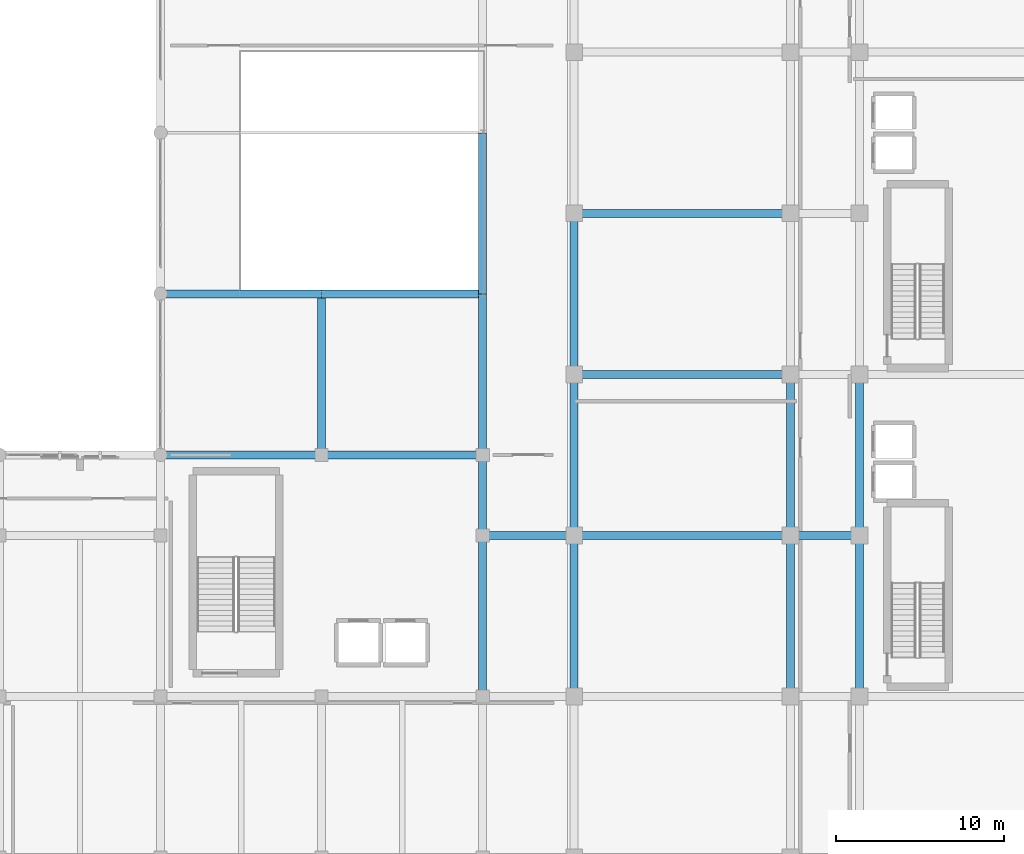
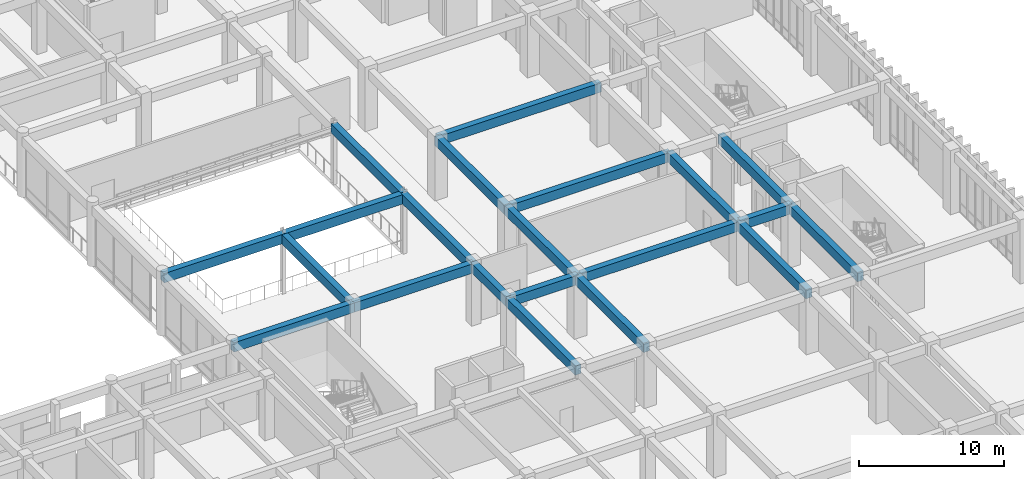
# One storey, part 64 of 134: 21 beams.
"""IFC4 building model written with IfcOpenShell, lengths in metres."""

import ifcopenshell
import ifcopenshell.guid

model = None  # the IFC model being written
_history = None  # IfcOwnerHistory: only IFC2X3 demands one
_inside = {}  # id of a spatial element -> (the spatial element, [elements in it])
_under = {}  # id of a project, library or spatial element -> (it, [spatial elements below it])
_declared = {}  # id of a project -> (the project, [libraries it declares])
_typed = {}  # id of a type object -> (the type object, [elements of that type])
_made_of = {}  # id of a material, layer set ... -> (it, [elements and type objects made of it])


def new_model(schema):
    """Start an empty IFC model of exactly this schema.

    Asked for "IFC4X3", IfcOpenShell would pick the latest addendum, in which some entities
    have other attributes; the version numbers below select the first issue.
    IFC2X3 requires an IfcOwnerHistory on every rooted entity: one is made here for all.
    """
    global model, _history
    if schema == "IFC4X3":
        model = ifcopenshell.file(schema_version=(4, 3, 0, 0))
    else:
        model = ifcopenshell.file(schema=schema)
    _inside.clear()
    _under.clear()
    _declared.clear()
    _typed.clear()
    _made_of.clear()
    _history = None
    if model.schema == "IFC2X3":
        org = make("IfcOrganization", Name="unknown")
        user = make(
            "IfcPersonAndOrganization",
            ThePerson=make("IfcPerson", FamilyName="unknown"),
            TheOrganization=org,
        )
        app = make(
            "IfcApplication",
            ApplicationDeveloper=org,
            Version="unknown",
            ApplicationFullName="unknown",
            ApplicationIdentifier="unknown",
        )
        _history = make(
            "IfcOwnerHistory",
            OwningUser=user,
            OwningApplication=app,
            ChangeAction="ADDED",
            CreationDate=0,
        )
    return model


def make(cls, **values):
    """One entity of the class cls with the attributes given. An attribute that is None is left unset."""
    return model.create_entity(
        cls, **{name: value for name, value in values.items() if value is not None}
    )


def rooted(cls, **values):
    """An entity with a GlobalId (a new one), such as an element, a storey or a relation."""
    return make(cls, GlobalId=ifcopenshell.guid.new(), OwnerHistory=_history, **values)


def si_unit(unit_type, name, prefix=None):
    """IfcSIUnit, for example si_unit("LENGTHUNIT", "METRE", prefix="MILLI")."""
    return make("IfcSIUnit", UnitType=unit_type, Prefix=prefix, Name=name)


def assignment(units):
    """IfcUnitAssignment: the units of a project."""
    return None if units is None else make("IfcUnitAssignment", Units=units)


def point(xyz):
    """IfcCartesianPoint."""
    return None if xyz is None else make("IfcCartesianPoint", Coordinates=xyz)


def direction(xyz):
    """IfcDirection."""
    return None if xyz is None else make("IfcDirection", DirectionRatios=xyz)


def frame(location, z_axis=None, x_axis=None):
    """IfcAxis2Placement3D, a coordinate frame: its origin and axes. An axis left out is left unset."""
    return make(
        "IfcAxis2Placement3D",
        Location=point(location),
        Axis=direction(z_axis),
        RefDirection=direction(x_axis),
    )


def frame_2d(location, x_axis=None):
    """IfcAxis2Placement2D, a coordinate frame in the plane: its origin and x axis."""
    return make(
        "IfcAxis2Placement2D", Location=point(location), RefDirection=direction(x_axis)
    )


def origin():
    """The frame at (0, 0, 0) with its axes left unset."""
    return frame((0.0, 0.0, 0.0))


def origin_2d():
    """The frame at (0, 0) in the plane with its x axis left unset."""
    return frame_2d((0.0, 0.0))


def place(relative_to, where):
    """IfcLocalPlacement: puts the frame where relative to a parent placement (None: the world)."""
    return make(
        "IfcLocalPlacement", PlacementRelTo=relative_to, RelativePlacement=where
    )


def context(
    kind, dimensions, precision=None, world=None, true_north=None, identifier=None
):
    """IfcGeometricRepresentationContext, for example the 3D "Model" context."""
    return make(
        "IfcGeometricRepresentationContext",
        ContextIdentifier=identifier,
        ContextType=kind,
        CoordinateSpaceDimension=dimensions,
        Precision=precision,
        WorldCoordinateSystem=world,
        TrueNorth=true_north,
    )


def subcontext(parent, identifier, kind, view, scale=None):
    """IfcGeometricRepresentationSubContext, for example "Body" below "Model"."""
    return make(
        "IfcGeometricRepresentationSubContext",
        ContextIdentifier=identifier,
        ContextType=kind,
        ParentContext=parent,
        TargetScale=scale,
        TargetView=view,
    )


def project(units=None, contexts=None):
    """IfcProject with its units and contexts."""
    return rooted(
        "IfcProject",
        Name="project",
        RepresentationContexts=contexts,
        UnitsInContext=assignment(units),
    )


def spatial(cls, under=None, at=None, **own):
    """A site, building, storey or space (cls), placed at a placement, below another one or the project."""
    s = rooted(cls, ObjectPlacement=at, **own)
    if under is not None:
        _under.setdefault(under.id(), (under, []))[1].append(s)
    return s


def profile(cls, at=None, kind="AREA", **sizes):
    """A parametric profile (cls). Its sizes go by their IFC names, for example OverallWidth=200.0."""
    return make(cls, ProfileType=kind, Position=at, **sizes)


def rectangle(**sizes):
    """IfcRectangleProfileDef."""
    return profile("IfcRectangleProfileDef", **sizes)


def extrude(swept, where, along, depth):
    """IfcExtrudedAreaSolid: the profile swept, set in the frame where, extruded along a direction by depth."""
    return make(
        "IfcExtrudedAreaSolid",
        SweptArea=swept,
        Position=where,
        ExtrudedDirection=direction(along),
        Depth=depth,
    )


def shape(context_of_items, identifier, shape_type, items):
    """IfcShapeRepresentation: the items that make up one representation, for example the "Body"."""
    return make(
        "IfcShapeRepresentation",
        ContextOfItems=context_of_items,
        RepresentationIdentifier=identifier,
        RepresentationType=shape_type,
        Items=items,
    )


def material(Name=None, Category=None):
    """IfcMaterial."""
    return make("IfcMaterial", Name=Name, Category=Category)


def material_profile(
    of_material, cross_section, Name=None, Category=None, Priority=None
):
    """IfcMaterialProfile: a cross section and its material."""
    return make(
        "IfcMaterialProfile",
        Name=Name,
        Material=of_material,
        Profile=cross_section,
        Priority=Priority,
        Category=Category,
    )


def profile_set(profiles, Name=None, composite=None):
    """IfcMaterialProfileSet."""
    return make(
        "IfcMaterialProfileSet",
        Name=Name,
        MaterialProfiles=profiles,
        CompositeProfile=composite,
    )


def made_of(thing, what):
    """Note that an element or type object is made of a material, layer set ...; save() writes the relation."""
    if what is not None:
        _made_of.setdefault(what.id(), (what, []))[1].append(thing)
    return thing


def type_object(cls, material=None, **own):
    """A type object (cls), such as IfcWallType, which elements share."""
    return made_of(rooted(cls, **own), material)


def element(
    cls,
    number,
    at=None,
    inside=None,
    cuts=None,
    type_object=None,
    material=None,
    context=None,
    identifier="Body",
    shape_type=None,
    held_by="IfcProductDefinitionShape",
    body=None,
    shapes=None,
    **own,
):
    """One element of the class cls, such as IfcWall. Its Tag is "e" and its number.

    at: its placement. inside: the storey or other place that contains it. cuts: it is an
    opening in that element (IfcRelVoidsElement). A single representation is given by context,
    identifier, shape_type and body (its items); several are given by shapes. held_by: the class
    of the entity that holds the representations. save() writes the other relations.
    """
    e = rooted(cls, Tag="e%d" % number, ObjectPlacement=at, **own)
    if body is not None:
        shapes = [shape(context, identifier, shape_type, body)]
    if shapes is not None:
        e.Representation = make(held_by, Representations=shapes)
    if inside is not None:
        _inside.setdefault(inside.id(), (inside, []))[1].append(e)
    if cuts is not None:
        rooted(
            "IfcRelVoidsElement", RelatingBuildingElement=cuts, RelatedOpeningElement=e
        )
    if type_object is not None:
        _typed.setdefault(type_object.id(), (type_object, []))[1].append(e)
    return made_of(e, material)


def aggregate(whole, parts):
    """IfcRelAggregates: a whole, such as a stair, and the parts it consists of."""
    return rooted("IfcRelAggregates", RelatingObject=whole, RelatedObjects=parts)


def save(model, path):
    """Write the relations noted so far, then the file.

    IfcRelAggregates (storeys below a building ...), IfcRelContainedInSpatialStructure (elements
    in a storey), IfcRelDefinesByType, IfcRelAssociatesMaterial and IfcRelDeclares: one each for
    every whole, place, type object, material and project.
    """
    for whole, parts in _under.values():
        aggregate(whole, parts)
    for where, things in _inside.values():
        rooted(
            "IfcRelContainedInSpatialStructure",
            RelatedElements=things,
            RelatingStructure=where,
        )
    for kind, things in _typed.values():
        rooted("IfcRelDefinesByType", RelatedObjects=things, RelatingType=kind)
    for what, things in _made_of.values():
        rooted("IfcRelAssociatesMaterial", RelatedObjects=things, RelatingMaterial=what)
    for by, libraries in _declared.values():
        rooted("IfcRelDeclares", RelatingContext=by, RelatedDefinitions=libraries)
    model.write(path)


model = new_model("IFC4")

# Units and contexts
model_context = context("Model", 3, precision=1e-05, world=origin(), true_north=direction((0.0, 1.0)))
body_context = subcontext(model_context, "Body", "Model", "MODEL_VIEW")
ifc_project = project(units=[si_unit("LENGTHUNIT", "METRE"), si_unit("AREAUNIT", "SQUARE_METRE"), si_unit("VOLUMEUNIT", "CUBIC_METRE"), si_unit("PLANEANGLEUNIT", "RADIAN"), si_unit("MASSUNIT", "GRAM", prefix="KILO")], contexts=[model_context])

# Site, building, storey
site_placement = place(None, origin())
site = spatial("IfcSite", under=ifc_project, at=site_placement, CompositionType="ELEMENT")
building_placement = place(site_placement, origin())
building = spatial("IfcBuilding", under=site, at=building_placement, Name="Nakhvara Creek Congress Hotel", CompositionType="ELEMENT")
storey_placement = place(building_placement, frame((0.0, 0.0, 6.0)))
storey = spatial("IfcBuildingStorey", under=building, at=storey_placement, Name="L01", CompositionType="ELEMENT", Elevation=6.0)

# Beams
ifc_material = material(Name="Concrete C40/50", Category="concrete")
ifc_material_profile = material_profile(ifc_material, rectangle(XDim=0.47998046875, YDim=0.780029296875, at=origin_2d()), Name="RC-BM 480x780", Category="LoadBearing")
ifc_profile_set = profile_set([ifc_material_profile], Name="Concrete C40/50")
beam_type = type_object("IfcBeamType", Name="BM-RC-480X780", PredefinedType="BEAM", material=ifc_profile_set)
for number, where, z_axis, x_axis, name in (
    (1, (124.800048828125, 43.199951171875, 4.7099609375), (1.0, 0.0, 0.0), (0.0, 1.0, 0.0), "Beam B13-L01-1227"),
    (2, (124.800048828125, 52.800048828125, 4.7099609375), (1.0, 0.0, 0.0), (0.0, 1.0, 0.0), "Beam B13-L01-1229"),
):
    element("IfcBeam", number, at=place(storey_placement, frame(where, z_axis=z_axis, x_axis=x_axis)), inside=storey, type_object=beam_type, Name=name, PredefinedType="BEAM", context=body_context, shape_type="SweptSolid", body=[
        extrude(rectangle(XDim=0.47998046875, YDim=0.780029296875, at=origin_2d()), origin(), (0.0, 0.0, 1.0), 9.599853515625),
    ])
for number, where, z_axis, x_axis, name in (
    (3, (134.39990234375, 43.199951171875, 4.7099609375), (0.0, 1.0, 0.0), (-1.0, 0.0, 0.0), "Beam B13-L01-1245"),
    (4, (134.39990234375, 43.199951171875, 4.7099609375), (1.0, 0.0, 0.0), (0.0, 1.0, 0.0), "Beam B13-L01-1246"),
    (5, (134.39990234375, 52.800048828125, 4.7099609375), (1.0, 0.0, 0.0), (0.0, 1.0, 0.0), "Beam B13-L01-1247"),
):
    element("IfcBeam", number, at=place(storey_placement, frame(where, z_axis=z_axis, x_axis=x_axis)), inside=storey, type_object=beam_type, Name=name, PredefinedType="BEAM", context=body_context, shape_type="SweptSolid", body=[
        extrude(rectangle(XDim=0.47998046875, YDim=0.780029296875, at=origin_2d()), origin(), (0.0, 0.0, 1.0), 9.60009765625),
    ])
beam_1_placement = place(storey_placement, frame((144.0, 28.800048828125, 4.7099609375), z_axis=(0.0, 1.0, 0.0), x_axis=(-1.0, 0.0, 0.0)))
element("IfcBeam", 6, at=beam_1_placement, inside=storey, type_object=beam_type, Name="Beam B13-L01-1260", PredefinedType="BEAM", context=body_context, shape_type="SweptSolid", body=[
    extrude(rectangle(XDim=0.47998046875, YDim=0.780029296875, at=origin_2d()), origin(), (0.0, 0.0, 1.0), 9.599853515625),
])
beam_2_placement = place(storey_placement, frame((144.0, 38.39990234375, 4.7099609375), z_axis=(0.0, 1.0, 0.0), x_axis=(-1.0, 0.0, 0.0)))
element("IfcBeam", 7, at=beam_2_placement, inside=storey, type_object=beam_type, Name="Beam B13-L01-1262", PredefinedType="BEAM", context=body_context, shape_type="SweptSolid", body=[
    extrude(rectangle(XDim=0.47998046875, YDim=0.780029296875, at=origin_2d()), origin(), (0.0, 0.0, 1.0), 4.800048828125),
])
beam_3_placement = place(storey_placement, frame((144.0, 38.39990234375, 4.7099609375), z_axis=(1.0, 0.0, 0.0), x_axis=(0.0, 1.0, 0.0)))
element("IfcBeam", 8, at=beam_3_placement, inside=storey, type_object=beam_type, Name="Beam B13-L01-1263", PredefinedType="BEAM", context=body_context, shape_type="SweptSolid", body=[
    extrude(rectangle(XDim=0.47998046875, YDim=0.780029296875, at=origin_2d()), origin(), (0.0, 0.0, 1.0), 5.449951171875),
])
beam_4_placement = place(storey_placement, frame((144.0, 43.199951171875, 4.7099609375), z_axis=(0.0, 1.0, 0.0), x_axis=(-1.0, 0.0, 0.0)))
element("IfcBeam", 9, at=beam_4_placement, inside=storey, type_object=beam_type, Name="Beam B13-L01-1264", PredefinedType="BEAM", context=body_context, shape_type="SweptSolid", body=[
    extrude(rectangle(XDim=0.47998046875, YDim=0.780029296875, at=origin_2d()), origin(), (0.0, 0.0, 1.0), 9.60009765625),
])
for number, where, z_axis, x_axis, name in (
    (10, (144.0, 52.800048828125, 4.7099609375), (0.0, 1.0, 0.0), (-1.0, 0.0, 0.0), "Beam B13-L01-1265"),
    (11, (149.449951171875, 28.800048828125, 4.7099609375), (0.0, 1.0, 0.0), (-1.0, 0.0, 0.0), "Beam B13-L01-1278"),
):
    element("IfcBeam", number, at=place(storey_placement, frame(where, z_axis=z_axis, x_axis=x_axis)), inside=storey, type_object=beam_type, Name=name, PredefinedType="BEAM", context=body_context, shape_type="SweptSolid", body=[
        extrude(rectangle(XDim=0.47998046875, YDim=0.780029296875, at=origin_2d()), origin(), (0.0, 0.0, 1.0), 9.599853515625),
    ])
beam_5_placement = place(storey_placement, frame((149.449951171875, 38.39990234375, 4.7099609375), z_axis=(0.0, 1.0, 0.0), x_axis=(-1.0, 0.0, 0.0)))
element("IfcBeam", 12, at=beam_5_placement, inside=storey, type_object=beam_type, Name="Beam B13-L01-1280", PredefinedType="BEAM", context=body_context, shape_type="SweptSolid", body=[
    extrude(rectangle(XDim=0.47998046875, YDim=0.780029296875, at=origin_2d()), origin(), (0.0, 0.0, 1.0), 9.60009765625),
])
beam_6_placement = place(storey_placement, frame((149.449951171875, 38.39990234375, 4.7099609375), z_axis=(1.0, 0.0, 0.0), x_axis=(0.0, 1.0, 0.0)))
element("IfcBeam", 13, at=beam_6_placement, inside=storey, type_object=beam_type, Name="Beam B13-L01-1281", PredefinedType="BEAM", context=body_context, shape_type="SweptSolid", body=[
    extrude(rectangle(XDim=0.47998046875, YDim=0.780029296875, at=origin_2d()), origin(), (0.0, 0.0, 1.0), 12.900146484375),
])
beam_7_placement = place(storey_placement, frame((149.449951171875, 48.0, 4.7099609375), z_axis=(0.0, 1.0, 0.0), x_axis=(-1.0, 0.0, 0.0)))
element("IfcBeam", 14, at=beam_7_placement, inside=storey, type_object=beam_type, Name="Beam B13-L01-1282", PredefinedType="BEAM", context=body_context, shape_type="SweptSolid", body=[
    extrude(rectangle(XDim=0.47998046875, YDim=0.780029296875, at=origin_2d()), origin(), (0.0, 0.0, 1.0), 9.60009765625),
])
for number, where, z_axis, x_axis, name in (
    (15, (149.449951171875, 48.0, 4.7099609375), (1.0, 0.0, 0.0), (0.0, 1.0, 0.0), "Beam B13-L01-1283"),
    (16, (149.449951171875, 57.60009765625, 4.7099609375), (1.0, 0.0, 0.0), (0.0, 1.0, 0.0), "Beam B13-L01-1285"),
):
    element("IfcBeam", number, at=place(storey_placement, frame(where, z_axis=z_axis, x_axis=x_axis)), inside=storey, type_object=beam_type, Name=name, PredefinedType="BEAM", context=body_context, shape_type="SweptSolid", body=[
        extrude(rectangle(XDim=0.47998046875, YDim=0.780029296875, at=origin_2d()), origin(), (0.0, 0.0, 1.0), 12.900146484375),
    ])
beam_8_placement = place(storey_placement, frame((162.35009765625, 28.800048828125, 4.7099609375), z_axis=(0.0, 1.0, 0.0), x_axis=(-1.0, 0.0, 0.0)))
element("IfcBeam", 17, at=beam_8_placement, inside=storey, type_object=beam_type, Name="Beam B13-L01-1303", PredefinedType="BEAM", context=body_context, shape_type="SweptSolid", body=[
    extrude(rectangle(XDim=0.47998046875, YDim=0.780029296875, at=origin_2d()), origin(), (0.0, 0.0, 1.0), 9.599853515625),
])
beam_9_placement = place(storey_placement, frame((162.35009765625, 38.39990234375, 4.7099609375), z_axis=(0.0, 1.0, 0.0), x_axis=(-1.0, 0.0, 0.0)))
element("IfcBeam", 18, at=beam_9_placement, inside=storey, type_object=beam_type, Name="Beam B13-L01-1305", PredefinedType="BEAM", context=body_context, shape_type="SweptSolid", body=[
    extrude(rectangle(XDim=0.47998046875, YDim=0.780029296875, at=origin_2d()), origin(), (0.0, 0.0, 1.0), 9.60009765625),
])
beam_10_placement = place(storey_placement, frame((162.35009765625, 38.39990234375, 4.7099609375), z_axis=(1.0, 0.0, 0.0), x_axis=(0.0, 1.0, 0.0)))
element("IfcBeam", 19, at=beam_10_placement, inside=storey, type_object=beam_type, Name="Beam B13-L01-1306", PredefinedType="BEAM", context=body_context, shape_type="SweptSolid", body=[
    extrude(rectangle(XDim=0.47998046875, YDim=0.780029296875, at=origin_2d()), origin(), (0.0, 0.0, 1.0), 4.099853515625),
])
beam_11_placement = place(storey_placement, frame((166.449951171875, 28.800048828125, 4.7099609375), z_axis=(0.0, 1.0, 0.0), x_axis=(-1.0, 0.0, 0.0)))
element("IfcBeam", 20, at=beam_11_placement, inside=storey, type_object=beam_type, Name="Beam B13-L01-1330", PredefinedType="BEAM", context=body_context, shape_type="SweptSolid", body=[
    extrude(rectangle(XDim=0.47998046875, YDim=0.780029296875, at=origin_2d()), origin(), (0.0, 0.0, 1.0), 9.599853515625),
])
beam_12_placement = place(storey_placement, frame((166.449951171875, 38.39990234375, 4.7099609375), z_axis=(0.0, 1.0, 0.0), x_axis=(-1.0, 0.0, 0.0)))
element("IfcBeam", 21, at=beam_12_placement, inside=storey, type_object=beam_type, Name="Beam B13-L01-1332", PredefinedType="BEAM", context=body_context, shape_type="SweptSolid", body=[
    extrude(rectangle(XDim=0.47998046875, YDim=0.780029296875, at=origin_2d()), origin(), (0.0, 0.0, 1.0), 9.60009765625),
])

save(model, "model.ifc")
